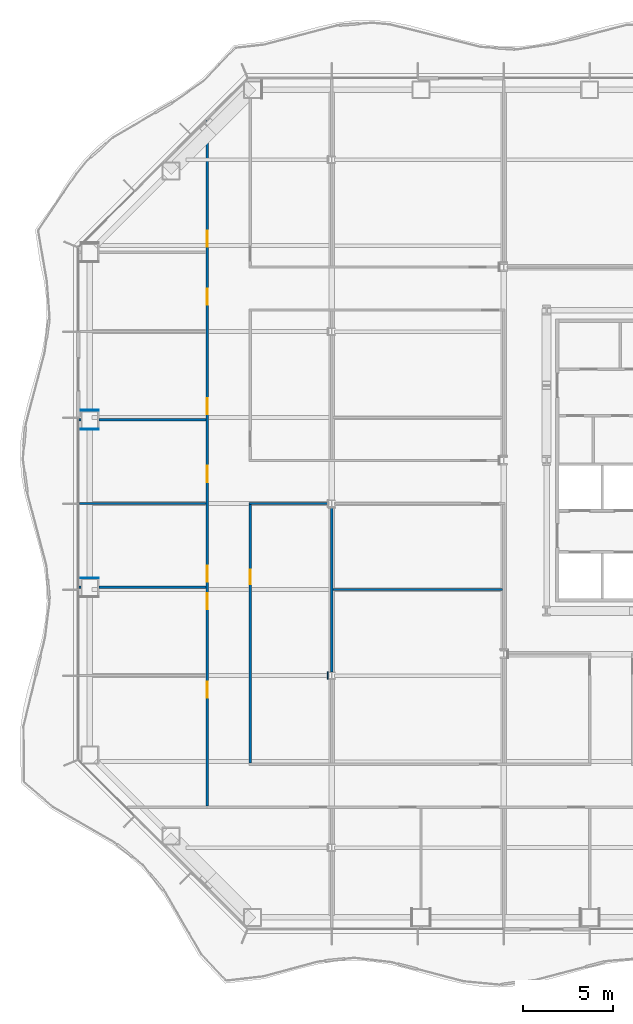
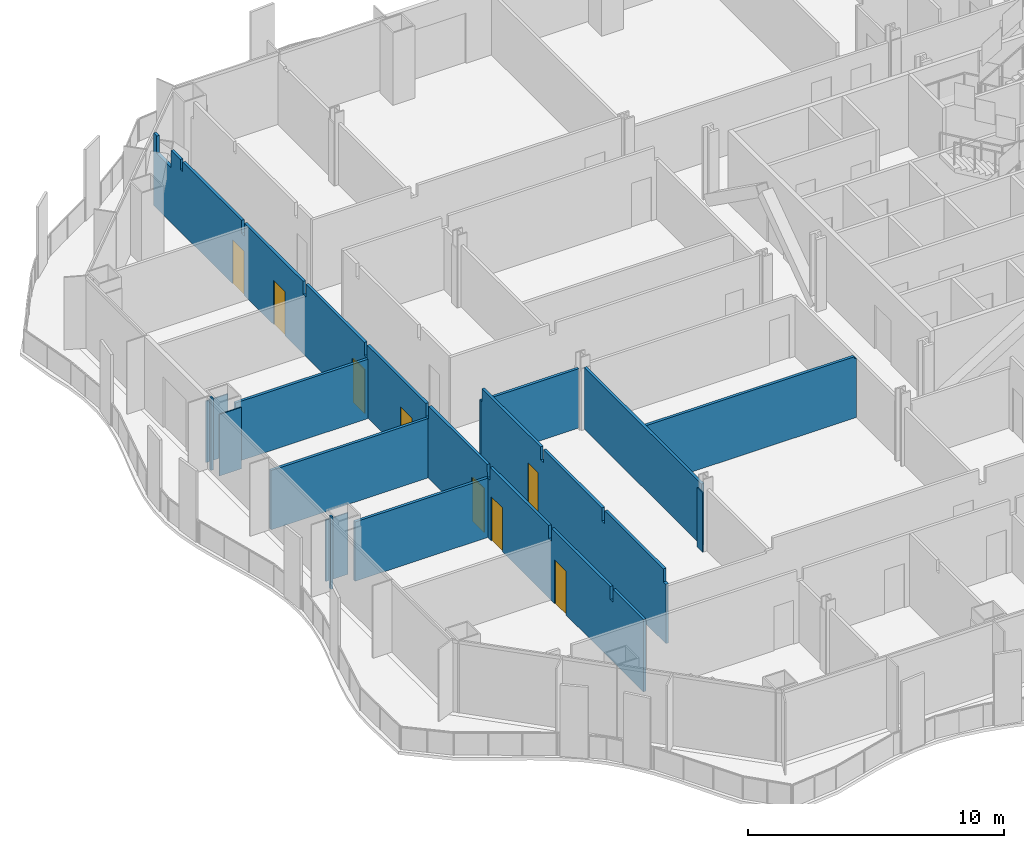
# One storey, part 8 of 21: 14 walls, 8 doors, 8 openings.
"""IFC4 building model written with IfcOpenShell, lengths in metres."""

from ifc_helpers import new_model, si_unit, direction, frame, frame_2d, origin, place, context, subcontext, project, spatial, polyline, rectangle, outline, extrude, material, layer, layer_set, type_object, element, fill, save


model = new_model("IFC4")

# Units and contexts
model_context = context("Model", 3, precision=1e-05, world=origin(), true_north=direction((0.0, 1.0)))
body_context = subcontext(model_context, "Body", "Model", "MODEL_VIEW")
ifc_project = project(units=[si_unit("LENGTHUNIT", "METRE"), si_unit("AREAUNIT", "SQUARE_METRE"), si_unit("VOLUMEUNIT", "CUBIC_METRE"), si_unit("PLANEANGLEUNIT", "RADIAN"), si_unit("MASSUNIT", "GRAM", prefix="KILO")], contexts=[model_context])

# Site, building, storey
site_placement = place(None, origin())
site = spatial("IfcSite", under=ifc_project, at=site_placement, CompositionType="ELEMENT")
building_placement = place(site_placement, origin())
building = spatial("IfcBuilding", under=site, at=building_placement, Name="Cairn Pilgrim Tower", CompositionType="ELEMENT")
storey_placement = place(building_placement, frame((0.0, 0.0, 54.60009765625)))
storey = spatial("IfcBuildingStorey", under=building, at=storey_placement, Name="L11", CompositionType="ELEMENT", Elevation=54.60009765625)

# Wall, openings, doors
ifc_material_1 = material(Name="Gypsum partition")
ifc_layer_1 = layer(ifc_material_1, 0.125)
ifc_layer_set_1 = layer_set([ifc_layer_1], Name="PARTITION 125 DRYWALL EI 60")
wall_type_1 = type_object("IfcWallType", Name="PARTITION 125 DRYWALL EI 60", PredefinedType="PARTITIONING", material=ifc_layer_set_1)
wall_1_placement = place(storey_placement, frame((-21.35009765625, -16.887451171875, 0.0), z_axis=(0.0, 0.0, 1.0), x_axis=(0.0, 1.0, 0.0)))
wall_1 = element("IfcWall", 1, at=wall_1_placement, inside=storey, type_object=wall_type_1, Name="PARTITION W014", PredefinedType="PARTITIONING", context=body_context, shape_type="SweptSolid", body=[
    extrude(outline(polyline([(0.0, 0.0), (38.276123046875, 0.0), (38.276123046875, 3.449951171875), (38.022216796875, 3.449951171875), (38.020263671875, 2.6298828125), (36.9072265625, 2.6298828125), (36.9052734375, 3.449951171875), (36.1826171875, 3.449951171875), (36.180419921875, 2.97998046875), (35.992431640625, 2.97998046875), (35.990478515625, 3.449951171875), (31.3974609375, 3.449951171875), (31.3955078125, 2.829833984375), (31.177490234375, 2.829833984375), (31.175537109375, 3.449951171875), (26.597412109375, 3.449951171875), (26.595458984375, 2.829833984375), (26.37744140625, 2.829833984375), (26.37548828125, 3.449951171875), (21.797607421875, 3.449951171875), (21.79541015625, 2.829833984375), (21.577392578125, 2.829833984375), (21.575439453125, 3.449951171875), (16.99755859375, 3.449951171875), (16.99560546875, 2.829833984375), (16.777587890625, 2.829833984375), (16.775390625, 3.449951171875), (12.197509765625, 3.449951171875), (12.195556640625, 2.829833984375), (11.9775390625, 2.829833984375), (11.9755859375, 3.449951171875), (7.3974609375, 3.449951171875), (7.3955078125, 2.829833984375), (7.177490234375, 2.829833984375), (7.175537109375, 3.449951171875), (2.597412109375, 3.449951171875), (2.595458984375, 2.829833984375), (2.37744140625, 2.829833984375), (2.37548828125, 3.449951171875), (0.0, 3.449951171875), (0.0, 0.0)])), frame((0.0, 0.0625, 0.0), z_axis=(0.0, -1.0, 0.0), x_axis=(1.0, 0.0, 0.0)), (0.0, 0.0, 1.0), 0.125),
])
opening_1_placement = place(wall_1_placement, frame((6.03759765625, 0.0, 0.0)))
opening_1 = element("IfcOpeningElement", 2, at=opening_1_placement, cuts=wall_1, Name="Opening 1109", PredefinedType="OPENING", context=body_context, shape_type="SweptSolid", body=[
    extrude(rectangle(XDim=0.89990234375, YDim=2.10009765625, at=frame_2d((0.449951171875, 1.050048828125))), frame((0.0, 0.072509765625, 0.0), z_axis=(0.0, -1.0, 0.0), x_axis=(1.0, 0.0, 0.0)), (0.0, 0.0, 1.0), 0.14501953125),
])
opening_2_placement = place(wall_1_placement, frame((10.987548828125, 0.0, 0.0)))
opening_2 = element("IfcOpeningElement", 3, at=opening_2_placement, cuts=wall_1, Name="Opening 1110", PredefinedType="OPENING", context=body_context, shape_type="SweptSolid", body=[
    extrude(rectangle(XDim=0.89990234375, YDim=2.10009765625, at=frame_2d((0.449951171875, 1.050048828125))), frame((0.0, 0.072509765625, 0.0), z_axis=(0.0, -1.0, 0.0), x_axis=(1.0, 0.0, 0.0)), (0.0, 0.0, 1.0), 0.14501953125),
])
opening_3_placement = place(wall_1_placement, frame((12.511474609375, 0.0, 0.0)))
opening_3 = element("IfcOpeningElement", 4, at=opening_3_placement, cuts=wall_1, Name="Opening 1111", PredefinedType="OPENING", context=body_context, shape_type="SweptSolid", body=[
    extrude(rectangle(XDim=0.89990234375, YDim=2.10009765625, at=frame_2d((0.449951171875, 1.050048828125))), frame((0.0, 0.072509765625, 0.0), z_axis=(0.0, -1.0, 0.0), x_axis=(1.0, 0.0, 0.0)), (0.0, 0.0, 1.0), 0.14501953125),
])
opening_4_placement = place(wall_1_placement, frame((18.08740234375, 0.0, 0.0)))
opening_4 = element("IfcOpeningElement", 5, at=opening_4_placement, cuts=wall_1, Name="Opening 1112", PredefinedType="OPENING", context=body_context, shape_type="SweptSolid", body=[
    extrude(rectangle(XDim=0.89990234375, YDim=2.10009765625, at=frame_2d((0.449951171875, 1.050048828125))), frame((0.0, 0.072509765625, 0.0), z_axis=(0.0, -1.0, 0.0), x_axis=(1.0, 0.0, 0.0)), (0.0, 0.0, 1.0), 0.14501953125),
])
opening_5_placement = place(wall_1_placement, frame((21.863525390625, 0.0, 0.0)))
opening_5 = element("IfcOpeningElement", 6, at=opening_5_placement, cuts=wall_1, Name="Opening 1113", PredefinedType="OPENING", context=body_context, shape_type="SweptSolid", body=[
    extrude(rectangle(XDim=0.89990234375, YDim=2.10009765625, at=frame_2d((0.449951171875, 1.050048828125))), frame((0.0, 0.072509765625, 0.0), z_axis=(0.0, -1.0, 0.0), x_axis=(1.0, 0.0, 0.0)), (0.0, 0.0, 1.0), 0.14501953125),
])
opening_6_placement = place(wall_1_placement, frame((27.987548828125, 0.0, 0.0)))
opening_6 = element("IfcOpeningElement", 7, at=opening_6_placement, cuts=wall_1, Name="Opening 1114", PredefinedType="OPENING", context=body_context, shape_type="SweptSolid", body=[
    extrude(rectangle(XDim=0.89990234375, YDim=2.10009765625, at=frame_2d((0.449951171875, 1.050048828125))), frame((0.0, 0.072509765625, 0.0), z_axis=(0.0, -1.0, 0.0), x_axis=(1.0, 0.0, 0.0)), (0.0, 0.0, 1.0), 0.14501953125),
])
opening_7_placement = place(wall_1_placement, frame((31.214599609375, 0.0, 0.0)))
opening_7 = element("IfcOpeningElement", 8, at=opening_7_placement, cuts=wall_1, Name="Opening 1115", PredefinedType="OPENING", context=body_context, shape_type="SweptSolid", body=[
    extrude(rectangle(XDim=0.89990234375, YDim=2.10009765625, at=frame_2d((0.449951171875, 1.050048828125))), frame((0.0, 0.072509765625, 0.0), z_axis=(0.0, -1.0, 0.0), x_axis=(1.0, 0.0, 0.0)), (0.0, 0.0, 1.0), 0.14501953125),
])
ifc_material_2 = material(Name="Steel-faced fire door leaf", Category="steel")
door_type_1 = type_object("IfcDoorType", Name="FIRE DOOR 900x2100 FD30S", OperationType="NOTDEFINED", PredefinedType="DOOR", material=ifc_material_2)
door_1_placement = place(opening_1_placement, origin())
door_1 = element("IfcDoor", 9, at=door_1_placement, inside=storey, type_object=door_type_1, Name="DOOR 1109", OperationType="SINGLE_SWING_RIGHT", OverallHeight=2.10009765625, OverallWidth=0.89990234375, PredefinedType="DOOR", context=body_context, shape_type="SweptSolid", body=[
    extrude(rectangle(XDim=0.89990234375, YDim=2.10009765625, at=frame_2d((0.449951171875, 1.050048828125))), frame((0.0, 0.02490234375, 0.0), z_axis=(0.0, -1.0, 0.0), x_axis=(1.0, 0.0, 0.0)), (0.0, 0.0, 1.0), 0.050048828125),
])
fill(opening_1, door_1)
door_2_placement = place(opening_2_placement, origin())
door_2 = element("IfcDoor", 10, at=door_2_placement, inside=storey, type_object=door_type_1, Name="DOOR 1110", OperationType="SINGLE_SWING_LEFT", OverallHeight=2.10009765625, OverallWidth=0.89990234375, PredefinedType="DOOR", context=body_context, shape_type="SweptSolid", body=[
    extrude(rectangle(XDim=0.89990234375, YDim=2.10009765625, at=frame_2d((0.449951171875, 1.050048828125))), frame((0.0, 0.02490234375, 0.0), z_axis=(0.0, -1.0, 0.0), x_axis=(1.0, 0.0, 0.0)), (0.0, 0.0, 1.0), 0.050048828125),
])
fill(opening_2, door_2)
door_3_placement = place(opening_3_placement, origin())
door_3 = element("IfcDoor", 11, at=door_3_placement, inside=storey, type_object=door_type_1, Name="DOOR 1111", OperationType="SINGLE_SWING_RIGHT", OverallHeight=2.10009765625, OverallWidth=0.89990234375, PredefinedType="DOOR", context=body_context, shape_type="SweptSolid", body=[
    extrude(rectangle(XDim=0.89990234375, YDim=2.10009765625, at=frame_2d((0.449951171875, 1.050048828125))), frame((0.0, 0.02490234375, 0.0), z_axis=(0.0, -1.0, 0.0), x_axis=(1.0, 0.0, 0.0)), (0.0, 0.0, 1.0), 0.050048828125),
])
fill(opening_3, door_3)
door_4_placement = place(opening_4_placement, origin())
door_4 = element("IfcDoor", 12, at=door_4_placement, inside=storey, type_object=door_type_1, Name="DOOR 1112", OperationType="SINGLE_SWING_LEFT", OverallHeight=2.10009765625, OverallWidth=0.89990234375, PredefinedType="DOOR", context=body_context, shape_type="SweptSolid", body=[
    extrude(rectangle(XDim=0.89990234375, YDim=2.10009765625, at=frame_2d((0.449951171875, 1.050048828125))), frame((0.0, 0.02490234375, 0.0), z_axis=(0.0, -1.0, 0.0), x_axis=(1.0, 0.0, 0.0)), (0.0, 0.0, 1.0), 0.050048828125),
])
fill(opening_4, door_4)
door_5_placement = place(opening_5_placement, origin())
door_5 = element("IfcDoor", 13, at=door_5_placement, inside=storey, type_object=door_type_1, Name="DOOR 1113", OperationType="SINGLE_SWING_RIGHT", OverallHeight=2.10009765625, OverallWidth=0.89990234375, PredefinedType="DOOR", context=body_context, shape_type="SweptSolid", body=[
    extrude(rectangle(XDim=0.89990234375, YDim=2.10009765625, at=frame_2d((0.449951171875, 1.050048828125))), frame((0.0, 0.02490234375, 0.0), z_axis=(0.0, -1.0, 0.0), x_axis=(1.0, 0.0, 0.0)), (0.0, 0.0, 1.0), 0.050048828125),
])
fill(opening_5, door_5)
door_6_placement = place(opening_6_placement, origin())
door_6 = element("IfcDoor", 14, at=door_6_placement, inside=storey, type_object=door_type_1, Name="DOOR 1114", OperationType="SINGLE_SWING_LEFT", OverallHeight=2.10009765625, OverallWidth=0.89990234375, PredefinedType="DOOR", context=body_context, shape_type="SweptSolid", body=[
    extrude(rectangle(XDim=0.89990234375, YDim=2.10009765625, at=frame_2d((0.449951171875, 1.050048828125))), frame((0.0, 0.02490234375, 0.0), z_axis=(0.0, -1.0, 0.0), x_axis=(1.0, 0.0, 0.0)), (0.0, 0.0, 1.0), 0.050048828125),
])
fill(opening_6, door_6)
door_7_placement = place(opening_7_placement, origin())
door_7 = element("IfcDoor", 15, at=door_7_placement, inside=storey, type_object=door_type_1, Name="DOOR 1115", OperationType="SINGLE_SWING_RIGHT", OverallHeight=2.10009765625, OverallWidth=0.89990234375, PredefinedType="DOOR", context=body_context, shape_type="SweptSolid", body=[
    extrude(rectangle(XDim=0.89990234375, YDim=2.10009765625, at=frame_2d((0.449951171875, 1.050048828125))), frame((0.0, 0.02490234375, 0.0), z_axis=(0.0, -1.0, 0.0), x_axis=(1.0, 0.0, 0.0)), (0.0, 0.0, 1.0), 0.050048828125),
])
fill(opening_7, door_7)

# Wall, opening, door
wall_2_placement = place(storey_placement, frame((-18.949951171875, -14.487548828125, 0.0), z_axis=(0.0, 0.0, 1.0), x_axis=(0.0, 1.0, 0.0)))
wall_2 = element("IfcWall", 16, at=wall_2_placement, inside=storey, type_object=wall_type_1, Name="PARTITION W018", PredefinedType="PARTITIONING", context=body_context, shape_type="SweptSolid", body=[
    extrude(outline(polyline([(0.0, 0.0), (14.425048828125, 0.0), (14.425048828125, 2.829833984375), (14.37744140625, 2.829833984375), (14.37548828125, 3.449951171875), (9.797607421875, 3.449951171875), (9.79541015625, 2.829833984375), (9.577392578125, 2.829833984375), (9.575439453125, 3.449951171875), (4.99755859375, 3.449951171875), (4.99560546875, 2.829833984375), (4.777587890625, 2.829833984375), (4.775390625, 3.449951171875), (0.197509765625, 3.449951171875), (0.195556640625, 2.829833984375), (0.0, 2.829833984375), (0.0, 0.0)])), frame((0.0, 0.0625, 0.0), z_axis=(0.0, -1.0, 0.0), x_axis=(1.0, 0.0, 0.0)), (0.0, 0.0, 1.0), 0.125),
])
opening_8_placement = place(wall_2_placement, frame((9.987548828125, 0.0, 0.0)))
opening_8 = element("IfcOpeningElement", 17, at=opening_8_placement, cuts=wall_2, Name="Opening 1132", PredefinedType="OPENING", context=body_context, shape_type="SweptSolid", body=[
    extrude(rectangle(XDim=0.800048828125, YDim=2.10009765625, at=frame_2d((0.39990234375, 1.050048828125))), frame((0.0, 0.072509765625, 0.0), z_axis=(0.0, -1.0, 0.0), x_axis=(1.0, 0.0, 0.0)), (0.0, 0.0, 1.0), 0.14501953125),
])
door_type_2 = type_object("IfcDoorType", Name="FIRE DOOR 800x2100 FD30S", OperationType="NOTDEFINED", PredefinedType="DOOR", material=ifc_material_2)
door_8_placement = place(opening_8_placement, frame((0.800048828125, 0.0, 0.0), z_axis=(0.0, 0.0, 1.0), x_axis=(-1.0, 0.0, 0.0)))
door_8 = element("IfcDoor", 18, at=door_8_placement, inside=storey, type_object=door_type_2, Name="DOOR 1132", OperationType="SINGLE_SWING_LEFT", OverallHeight=2.10009765625, OverallWidth=0.800048828125, PredefinedType="DOOR", context=body_context, shape_type="SweptSolid", body=[
    extrude(rectangle(XDim=0.800048828125, YDim=2.10009765625, at=frame_2d((0.39990234375, 1.050048828125))), frame((0.0, 0.02490234375, 0.0), z_axis=(0.0, -1.0, 0.0), x_axis=(1.0, 0.0, 0.0)), (0.0, 0.0, 1.0), 0.050048828125),
])
fill(opening_8, door_8)

# Walls
wall_3_placement = place(storey_placement, frame((-14.39990234375, -9.387451171875, 0.0), z_axis=(0.0, 0.0, 1.0), x_axis=(0.0, 1.0, 0.0)))
element("IfcWall", 19, at=wall_3_placement, inside=storey, type_object=wall_type_1, Name="PARTITION W030", PredefinedType="PARTITIONING", context=body_context, shape_type="SweptSolid", body=[
    extrude(rectangle(XDim=9.175048828125, YDim=0.125, at=frame_2d((4.58740234375, 0.0))), origin(), (0.0, 0.0, 1.0), 2.929931640625),
])
wall_4_placement = place(storey_placement, frame((-14.33740234375, -4.800048828125, 0.0), z_axis=(0.0, 0.0, 1.0), x_axis=(1.0, 0.0, 0.0)))
element("IfcWall", 20, at=wall_4_placement, inside=storey, type_object=wall_type_1, Name="PARTITION W037", PredefinedType="PARTITIONING", context=body_context, shape_type="SweptSolid", body=[
    extrude(outline(polyline([(0.0, 0.0), (9.474853515625, 0.0), (9.47509765625, 2.829833984375), (9.387451171875, 2.829833984375), (9.385498046875, 2.929931640625), (0.0, 2.929931640625), (0.0, 0.0)])), frame((0.0, 0.0625, 0.0), z_axis=(0.0, -1.0, 0.0), x_axis=(1.0, 0.0, 0.0)), (0.0, 0.0, 1.0), 0.125),
])
wall_5_placement = place(storey_placement, frame((-28.5029296875, -4.676025390625, 0.0), z_axis=(0.0, 0.0, 1.0), x_axis=(1.0, 0.0, 0.0)))
element("IfcWall", 21, at=wall_5_placement, inside=storey, type_object=wall_type_1, Name="PARTITION W038", PredefinedType="PARTITIONING", context=body_context, shape_type="SweptSolid", body=[
    extrude(rectangle(XDim=0.10302734375, YDim=0.125, at=frame_2d((0.051513671875, 0.0))), origin(), (0.0, 0.0, 1.0), 3.449951171875),
])
wall_6_placement = place(storey_placement, frame((-27.39990234375, -4.676025390625, 0.0), z_axis=(0.0, 0.0, 1.0), x_axis=(1.0, 0.0, 0.0)))
element("IfcWall", 22, at=wall_6_placement, inside=storey, type_object=wall_type_1, Name="PARTITION W039", PredefinedType="PARTITIONING", context=body_context, shape_type="SweptSolid", body=[
    extrude(rectangle(XDim=5.9873046875, YDim=0.125, at=frame_2d((2.99365234375, 0.0))), origin(), (0.0, 0.0, 1.0), 2.829833984375),
])
wall_7_placement = place(storey_placement, frame((-28.489990234375, 0.0, 0.0), z_axis=(0.0, 0.0, 1.0), x_axis=(1.0, 0.0, 0.0)))
element("IfcWall", 23, at=wall_7_placement, inside=storey, type_object=wall_type_1, Name="PARTITION W044", PredefinedType="PARTITIONING", context=body_context, shape_type="SweptSolid", body=[
    extrude(rectangle(XDim=7.077392578125, YDim=0.125, at=frame_2d((3.53857421875, 0.0))), origin(), (0.0, 0.0, 1.0), 2.829833984375),
])
wall_8_placement = place(storey_placement, frame((-19.012451171875, 0.0, 0.0), z_axis=(0.0, 0.0, 1.0), x_axis=(1.0, 0.0, 0.0)))
element("IfcWall", 24, at=wall_8_placement, inside=storey, type_object=wall_type_1, Name="PARTITION W045", PredefinedType="PARTITIONING", context=body_context, shape_type="SweptSolid", body=[
    extrude(rectangle(XDim=4.407958984375, YDim=0.125, at=frame_2d((2.2041015625, 0.0))), origin(), (0.0, 0.0, 1.0), 2.829833984375),
])
wall_9_placement = place(storey_placement, frame((-28.5029296875, 4.676025390625, 0.0), z_axis=(0.0, 0.0, 1.0), x_axis=(1.0, 0.0, 0.0)))
element("IfcWall", 25, at=wall_9_placement, inside=storey, type_object=wall_type_1, Name="PARTITION W055", PredefinedType="PARTITIONING", context=body_context, shape_type="SweptSolid", body=[
    extrude(rectangle(XDim=0.10302734375, YDim=0.125, at=frame_2d((0.051513671875, 0.0))), origin(), (0.0, 0.0, 1.0), 3.449951171875),
])
wall_10_placement = place(storey_placement, frame((-27.39990234375, 4.676025390625, 0.0), z_axis=(0.0, 0.0, 1.0), x_axis=(1.0, 0.0, 0.0)))
element("IfcWall", 26, at=wall_10_placement, inside=storey, type_object=wall_type_1, Name="PARTITION W056", PredefinedType="PARTITIONING", context=body_context, shape_type="SweptSolid", body=[
    extrude(rectangle(XDim=5.9873046875, YDim=0.125, at=frame_2d((2.99365234375, 0.0))), origin(), (0.0, 0.0, 1.0), 2.829833984375),
])
ifc_layer_2 = layer(ifc_material_1, 0.050048828125)
ifc_layer_set_2 = layer_set([ifc_layer_2], Name="PARTITION 50 DRYWALL EI 60")
wall_type_2 = type_object("IfcWallType", Name="PARTITION 50 DRYWALL EI 60", PredefinedType="PARTITIONING", material=ifc_layer_set_2)
wall_11_placement = place(storey_placement, frame((-14.62939453125, -9.8125, 0.0), z_axis=(0.0, 0.0, 1.0), x_axis=(0.0, 1.0, 0.0)))
element("IfcWall", 27, at=wall_11_placement, inside=storey, type_object=wall_type_2, Name="COLUMN CASING WC12", PredefinedType="PARTITIONING", context=body_context, shape_type="SweptSolid", body=[
    extrude(rectangle(XDim=0.425048828125, YDim=0.050048828125, at=frame_2d((0.21240234375, 0.0))), origin(), (0.0, 0.0, 1.0), 2.829833984375),
])
for number, where, z_axis, x_axis, name in (
    (28, (-28.39990234375, -4.150634765625, 0.0), (0.0, 0.0, 1.0), (1.0, 0.0, 0.0), "COLUMN CASING WC17"),
    (29, (-28.39990234375, 5.20068359375, 0.0), (0.0, 0.0, 1.0), (1.0, 0.0, 0.0), "COLUMN CASING WC26"),
    (30, (-28.39990234375, 4.150634765625, 0.0), (0.0, 0.0, 1.0), (1.0, 0.0, 0.0), "COLUMN CASING WC27"),
):
    element("IfcWall", number, at=place(storey_placement, frame(where, z_axis=z_axis, x_axis=x_axis)), inside=storey, type_object=wall_type_2, Name=name, PredefinedType="PARTITIONING", context=body_context, shape_type="SweptSolid", body=[
        extrude(rectangle(XDim=1.0, YDim=0.050048828125, at=frame_2d((0.5, 0.0))), origin(), (0.0, 0.0, 1.0), 2.929931640625),
    ])

save(model, "model.ifc")
